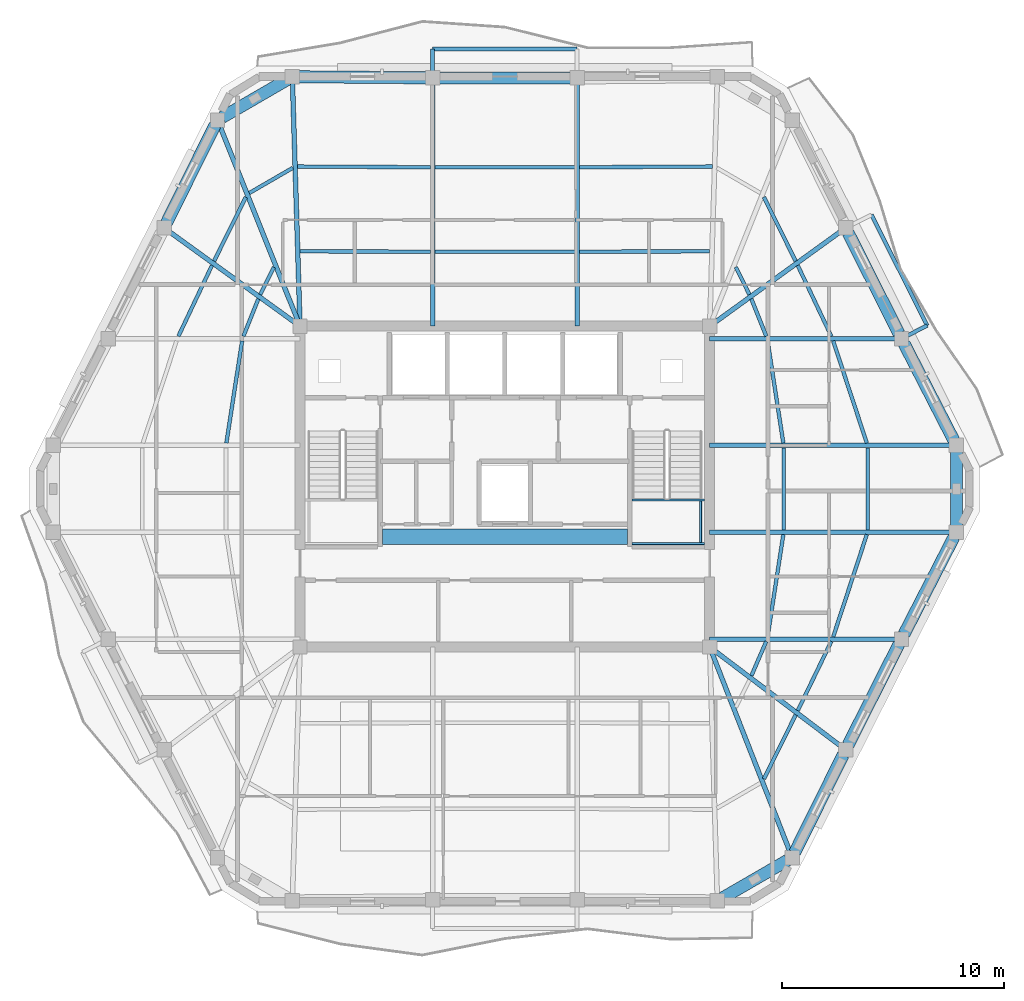
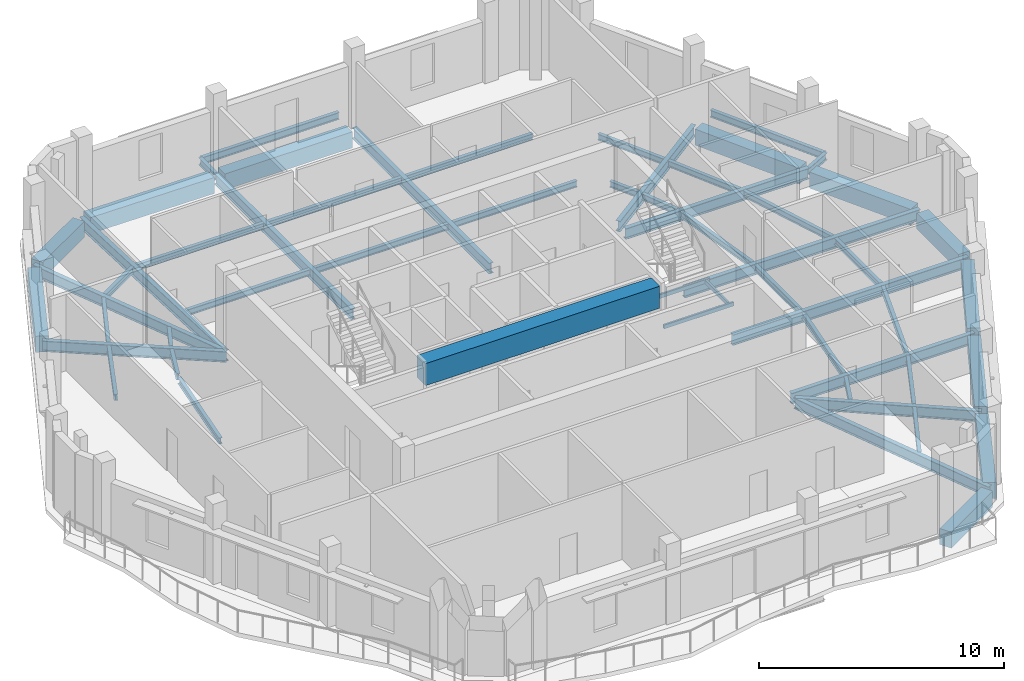
# One storey, part 2 of 10: 56 beams.
"""IFC4 building model written with IfcOpenShell, lengths in metres."""

from ifc_helpers import new_model, si_unit, direction, frame, origin, origin_2d, place, context, subcontext, project, spatial, rectangle, hollow_rectangle, i_section, extrude, material, material_profile, profile_set, type_object, element, save


model = new_model("IFC4")

# Units and contexts
model_context = context("Model", 3, precision=1e-05, world=origin(), true_north=direction((0.0, 1.0)))
body_context = subcontext(model_context, "Body", "Model", "MODEL_VIEW")
ifc_project = project(units=[si_unit("LENGTHUNIT", "METRE"), si_unit("AREAUNIT", "SQUARE_METRE"), si_unit("VOLUMEUNIT", "CUBIC_METRE"), si_unit("PLANEANGLEUNIT", "RADIAN"), si_unit("MASSUNIT", "GRAM", prefix="KILO")], contexts=[model_context])

# Site, building, storey
site_placement = place(None, origin())
site = spatial("IfcSite", under=ifc_project, at=site_placement, CompositionType="ELEMENT")
building_placement = place(site_placement, origin())
building = spatial("IfcBuilding", under=site, at=building_placement, Name="Cinnabar Lancet Tower", CompositionType="ELEMENT")
storey_placement = place(building_placement, frame((0.0, 0.0, 287.5)))
storey = spatial("IfcBuildingStorey", under=building, at=storey_placement, Name="L76", CompositionType="ELEMENT", Elevation=287.5)

# Beams
ifc_material_1 = material(Name="Concrete C70/85", Category="concrete")
ifc_material_profile_1 = material_profile(ifc_material_1, rectangle(XDim=0.699951171875, YDim=1.10009765625, at=origin_2d()), Name="RC-CB 700x1100")
ifc_profile_set_1 = profile_set([ifc_material_profile_1], Name="Concrete C70/85")
beam_type_1 = type_object("IfcBeamType", Name="STR-BM-CB-1100", PredefinedType="BEAM", material=ifc_profile_set_1)
beam_1_placement = place(storey_placement, frame((26.8798828125, 23.64990234375, 3.25), z_axis=(1.0, 0.0, 0.0), x_axis=(0.0, 1.0, 0.0)))
element("IfcBeam", 1, at=beam_1_placement, inside=storey, type_object=beam_type_1, Name="L76 Core Coupling Beam", PredefinedType="BEAM", context=body_context, shape_type="SweptSolid", body=[
    extrude(rectangle(XDim=0.699951171875, YDim=1.10009765625, at=origin_2d()), origin(), (0.0, 0.0, 1.0), 11.0400390625),
])
ifc_material_2 = material(Name="Structural steel S355", Category="steel")
ifc_material_profile_2 = material_profile(ifc_material_2, i_section(OverallWidth=0.1650390625, OverallDepth=0.303466796875, WebThickness=0.006103515625, FlangeThickness=0.01025390625, FilletRadius=0.0087890625, at=origin_2d()), Name="UKB 305x165x40")
ifc_profile_set_2 = profile_set([ifc_material_profile_2], Name="Structural steel S355")
beam_type_2 = type_object("IfcBeamType", Name="STR-BM-JST-305", PredefinedType="JOIST", material=ifc_profile_set_2)
beam_2_placement = place(storey_placement, frame((44.06591796875, 12.73193359375, -0.35205078125), z_axis=(0.444391284604, 0.895832789179, 0.0), x_axis=(-0.895832789179, 0.444391284604, 0.0)))
element("IfcBeam", 2, at=beam_2_placement, inside=storey, type_object=beam_type_2, Name="L76 Secondary Floor Joist 15", PredefinedType="JOIST", context=body_context, shape_type="SweptSolid", body=[
    extrude(i_section(OverallWidth=0.1650390625, OverallDepth=0.303466796875, WebThickness=0.006103515625, FlangeThickness=0.01025390625, FilletRadius=0.0087890625, at=origin_2d()), origin(), (0.0, 0.0, 1.0), 3.220458984375),
])
beam_3_placement = place(storey_placement, frame((45.591064453125, 15.80810546875, -0.35205078125), z_axis=(0.43610936109, 0.899893674369, 0.0), x_axis=(-0.899893674369, 0.43610936109, 0.0)))
element("IfcBeam", 3, at=beam_3_placement, inside=storey, type_object=beam_type_2, Name="L76 Secondary Floor Joist 17", PredefinedType="JOIST", context=body_context, shape_type="SweptSolid", body=[
    extrude(i_section(OverallWidth=0.1650390625, OverallDepth=0.303466796875, WebThickness=0.006103515625, FlangeThickness=0.01025390625, FilletRadius=0.0087890625, at=origin_2d()), origin(), (0.0, 0.0, 1.0), 3.467041015625),
])
beam_4_placement = place(storey_placement, frame((43.5048828125, 17.385009765625, -0.35205078125), z_axis=(0.396302440144, 0.91812002262, 0.0), x_axis=(-0.91812002262, 0.396302440144, 0.0)))
element("IfcBeam", 4, at=beam_4_placement, inside=storey, type_object=beam_type_2, Name="L76 Secondary Floor Joist 18", PredefinedType="JOIST", context=body_context, shape_type="SweptSolid", body=[
    extrude(i_section(OverallWidth=0.1650390625, OverallDepth=0.303466796875, WebThickness=0.006103515625, FlangeThickness=0.01025390625, FilletRadius=0.0087890625, at=origin_2d()), origin(), (0.0, 0.0, 1.0), 1.6806640625),
])
beam_5_placement = place(storey_placement, frame((47.18798828125, 19.137939453125, -0.35205078125), z_axis=(0.312491145371, 0.949920672512, 0.0), x_axis=(-0.949920672512, 0.312491145371, 0.0)))
element("IfcBeam", 5, at=beam_5_placement, inside=storey, type_object=beam_type_2, Name="L76 Secondary Floor Joist 19", PredefinedType="JOIST", context=body_context, shape_type="SweptSolid", body=[
    extrude(i_section(OverallWidth=0.1650390625, OverallDepth=0.303466796875, WebThickness=0.006103515625, FlangeThickness=0.01025390625, FilletRadius=0.0087890625, at=origin_2d()), origin(), (0.0, 0.0, 1.0), 4.8447265625),
])
beam_6_placement = place(storey_placement, frame((44.23291015625, 19.137939453125, -0.35205078125), z_axis=(0.152262059154, 0.988340156698, 0.0), x_axis=(-0.988340156698, 0.152262059154, 0.0)))
element("IfcBeam", 6, at=beam_6_placement, inside=storey, type_object=beam_type_2, Name="L76 Secondary Floor Joist 20", PredefinedType="JOIST", context=body_context, shape_type="SweptSolid", body=[
    extrude(i_section(OverallWidth=0.1650390625, OverallDepth=0.303466796875, WebThickness=0.006103515625, FlangeThickness=0.01025390625, FilletRadius=0.0087890625, at=origin_2d()), origin(), (0.0, 0.0, 1.0), 4.65625),
])
for number, where, z_axis, x_axis, name in (
    (7, (48.737060546875, 23.949951171875, -0.35205078125), (0.0, 1.0, 0.0), (-1.0, 0.0, 0.0), "L76 Secondary Floor Joist 21"),
    (8, (44.958984375, 23.949951171875, -0.35205078125), (0.0, 1.0, 0.0), (-1.0, 0.0, 0.0), "L76 Secondary Floor Joist 22"),
):
    element("IfcBeam", number, at=place(storey_placement, frame(where, z_axis=z_axis, x_axis=x_axis)), inside=storey, type_object=beam_type_2, Name=name, PredefinedType="JOIST", context=body_context, shape_type="SweptSolid", body=[
        extrude(i_section(OverallWidth=0.1650390625, OverallDepth=0.303466796875, WebThickness=0.006103515625, FlangeThickness=0.01025390625, FilletRadius=0.0087890625, at=origin_2d()), origin(), (0.0, 0.0, 1.0), 3.699951171875),
    ])
beam_7_placement = place(storey_placement, frame((48.701904296875, 27.860107421875, -0.35205078125), z_axis=(-0.312506104996, 0.94991575118, 0.0), x_axis=(-0.94991575118, -0.312506104996, 0.0)))
element("IfcBeam", 9, at=beam_7_placement, inside=storey, type_object=beam_type_2, Name="L76 Secondary Floor Joist 23", PredefinedType="JOIST", context=body_context, shape_type="SweptSolid", body=[
    extrude(i_section(OverallWidth=0.1650390625, OverallDepth=0.303466796875, WebThickness=0.006103515625, FlangeThickness=0.01025390625, FilletRadius=0.0087890625, at=origin_2d()), origin(), (0.0, 0.0, 1.0), 4.844482421875),
])
beam_8_placement = place(storey_placement, frame((44.94189453125, 27.860107421875, -0.35205078125), z_axis=(-0.152269949853, 0.988338941038, 0.0), x_axis=(-0.988338941038, -0.152269949853, 0.0)))
element("IfcBeam", 10, at=beam_8_placement, inside=storey, type_object=beam_type_2, Name="L76 Secondary Floor Joist 24", PredefinedType="JOIST", context=body_context, shape_type="SweptSolid", body=[
    extrude(i_section(OverallWidth=0.1650390625, OverallDepth=0.303466796875, WebThickness=0.006103515625, FlangeThickness=0.01025390625, FilletRadius=0.0087890625, at=origin_2d()), origin(), (0.0, 0.0, 1.0), 4.656005859375),
])
beam_9_placement = place(storey_placement, frame((47.10400390625, 32.672119140625, -0.35205078125), z_axis=(-0.428647868514, 0.903471640296, 0.0), x_axis=(-0.903471640296, -0.428647868514, 0.0)))
element("IfcBeam", 11, at=beam_9_placement, inside=storey, type_object=beam_type_2, Name="L76 Secondary Floor Joist 25", PredefinedType="JOIST", context=body_context, shape_type="SweptSolid", body=[
    extrude(i_section(OverallWidth=0.1650390625, OverallDepth=0.303466796875, WebThickness=0.006103515625, FlangeThickness=0.01025390625, FilletRadius=0.0087890625, at=origin_2d()), origin(), (0.0, 0.0, 1.0), 3.53173828125),
])
beam_10_placement = place(storey_placement, frame((44.175048828125, 32.672119140625, -0.35205078125), z_axis=(-0.37155332079, 0.928411616585, 0.0), x_axis=(-0.928411616585, -0.37155332079, 0.0)))
element("IfcBeam", 12, at=beam_10_placement, inside=storey, type_object=beam_type_2, Name="L76 Secondary Floor Joist 26", PredefinedType="JOIST", context=body_context, shape_type="SweptSolid", body=[
    extrude(i_section(OverallWidth=0.1650390625, OverallDepth=0.303466796875, WebThickness=0.006103515625, FlangeThickness=0.01025390625, FilletRadius=0.0087890625, at=origin_2d()), origin(), (0.0, 0.0, 1.0), 1.8115234375),
])
beam_11_placement = place(storey_placement, frame((45.4970703125, 36.054931640625, -0.35205078125), z_axis=(-0.44427059531, 0.895892648783, 0.0), x_axis=(-0.895892648783, -0.44427059531, 0.0)))
element("IfcBeam", 13, at=beam_11_placement, inside=storey, type_object=beam_type_2, Name="L76 Secondary Floor Joist 27", PredefinedType="JOIST", context=body_context, shape_type="SweptSolid", body=[
    extrude(i_section(OverallWidth=0.1650390625, OverallDepth=0.303466796875, WebThickness=0.006103515625, FlangeThickness=0.01025390625, FilletRadius=0.0087890625, at=origin_2d()), origin(), (0.0, 0.0, 1.0), 3.221435546875),
])
beam_12_placement = place(storey_placement, frame((43.4150390625, 34.549072265625, -0.35205078125), z_axis=(-0.444661746427, 0.895698571655, 0.0), x_axis=(-0.895698571655, -0.444661746427, 0.0)))
element("IfcBeam", 14, at=beam_12_placement, inside=storey, type_object=beam_type_2, Name="L76 Secondary Floor Joist 28", PredefinedType="JOIST", context=body_context, shape_type="SweptSolid", body=[
    extrude(i_section(OverallWidth=0.1650390625, OverallDepth=0.303466796875, WebThickness=0.006103515625, FlangeThickness=0.01025390625, FilletRadius=0.0087890625, at=origin_2d()), origin(), (0.0, 0.0, 1.0), 1.378662109375),
])
beam_13_placement = place(storey_placement, frame((41.741943359375, 40.31494140625, -0.35205078125), z_axis=(-0.999985712428, -0.005345553266, 0.0), x_axis=(0.005345553266, -0.999985712428, 0.0)))
element("IfcBeam", 15, at=beam_13_placement, inside=storey, type_object=beam_type_2, Name="L76 Secondary Floor Joist 30", PredefinedType="JOIST", context=body_context, shape_type="SweptSolid", body=[
    extrude(i_section(OverallWidth=0.1650390625, OverallDepth=0.303466796875, WebThickness=0.006103515625, FlangeThickness=0.01025390625, FilletRadius=0.0087890625, at=origin_2d()), origin(), (0.0, 0.0, 1.0), 5.98291015625),
])
beam_14_placement = place(storey_placement, frame((41.6240234375, 36.49609375, -0.35205078125), z_axis=(-0.999996226008, -0.002747356738, 0.0), x_axis=(0.002747356738, -0.999996226008, 0.0)))
element("IfcBeam", 16, at=beam_14_placement, inside=storey, type_object=beam_type_2, Name="L76 Secondary Floor Joist 31", PredefinedType="JOIST", context=body_context, shape_type="SweptSolid", body=[
    extrude(i_section(OverallWidth=0.1650390625, OverallDepth=0.303466796875, WebThickness=0.006103515625, FlangeThickness=0.01025390625, FilletRadius=0.0087890625, at=origin_2d()), origin(), (0.0, 0.0, 1.0), 5.864990234375),
])
for number, where, z_axis, x_axis, name in (
    (17, (35.549072265625, 40.281982421875, -0.35205078125), (-1.0, 0.0, 0.0), (0.0, -1.0, 0.0), "L76 Secondary Floor Joist 32"),
    (18, (35.549072265625, 36.47998046875, -0.35205078125), (-1.0, 0.0, 0.0), (0.0, -1.0, 0.0), "L76 Secondary Floor Joist 33"),
):
    element("IfcBeam", number, at=place(storey_placement, frame(where, z_axis=z_axis, x_axis=x_axis)), inside=storey, type_object=beam_type_2, Name=name, PredefinedType="JOIST", context=body_context, shape_type="SweptSolid", body=[
        extrude(i_section(OverallWidth=0.1650390625, OverallDepth=0.303466796875, WebThickness=0.006103515625, FlangeThickness=0.01025390625, FilletRadius=0.0087890625, at=origin_2d()), origin(), (0.0, 0.0, 1.0), 6.298095703125),
    ])
beam_15_placement = place(storey_placement, frame((29.041015625, 40.282958984375, -0.35205078125), z_axis=(-0.999985712428, 0.005345553266, 0.0), x_axis=(-0.005345553266, -0.999985712428, 0.0)))
element("IfcBeam", 19, at=beam_15_placement, inside=storey, type_object=beam_type_2, Name="L76 Secondary Floor Joist 34", PredefinedType="JOIST", context=body_context, shape_type="SweptSolid", body=[
    extrude(i_section(OverallWidth=0.1650390625, OverallDepth=0.303466796875, WebThickness=0.006103515625, FlangeThickness=0.01025390625, FilletRadius=0.0087890625, at=origin_2d()), origin(), (0.0, 0.0, 1.0), 5.98291015625),
])
beam_16_placement = place(storey_placement, frame((29.041015625, 36.47998046875, -0.35205078125), z_axis=(-0.999996226008, 0.002747356738, 0.0), x_axis=(-0.002747356738, -0.999996226008, 0.0)))
element("IfcBeam", 20, at=beam_16_placement, inside=storey, type_object=beam_type_2, Name="L76 Secondary Floor Joist 35", PredefinedType="JOIST", context=body_context, shape_type="SweptSolid", body=[
    extrude(i_section(OverallWidth=0.1650390625, OverallDepth=0.303466796875, WebThickness=0.006103515625, FlangeThickness=0.01025390625, FilletRadius=0.0087890625, at=origin_2d()), origin(), (0.0, 0.0, 1.0), 5.864990234375),
])
beam_17_placement = place(storey_placement, frame((22.85009765625, 40.256103515625, -0.35205078125), z_axis=(-0.865426285481, -0.501036270542, 0.0), x_axis=(0.501036270542, -0.865426285481, 0.0)))
element("IfcBeam", 21, at=beam_17_placement, inside=storey, type_object=beam_type_2, Name="L76 Secondary Floor Joist 36", PredefinedType="JOIST", context=body_context, shape_type="SweptSolid", body=[
    extrude(i_section(OverallWidth=0.1650390625, OverallDepth=0.303466796875, WebThickness=0.006103515625, FlangeThickness=0.01025390625, FilletRadius=0.0087890625, at=origin_2d()), origin(), (0.0, 0.0, 1.0), 2.267333984375),
])
beam_18_placement = place(storey_placement, frame((20.73388671875, 38.94091796875, -0.35205078125), z_axis=(-0.444209762814, -0.89592281287, 0.0), x_axis=(0.89592281287, -0.444209762814, 0.0)))
element("IfcBeam", 22, at=beam_18_placement, inside=storey, type_object=beam_type_2, Name="L76 Secondary Floor Joist 37", PredefinedType="JOIST", context=body_context, shape_type="SweptSolid", body=[
    extrude(i_section(OverallWidth=0.1650390625, OverallDepth=0.303466796875, WebThickness=0.006103515625, FlangeThickness=0.01025390625, FilletRadius=0.0087890625, at=origin_2d()), origin(), (0.0, 0.0, 1.0), 3.22119140625),
])
beam_19_placement = place(storey_placement, frame((21.998046875, 35.783935546875, -0.35205078125), z_axis=(-0.444661746427, -0.895698571655, 0.0), x_axis=(0.895698571655, -0.444661746427, 0.0)))
element("IfcBeam", 23, at=beam_19_placement, inside=storey, type_object=beam_type_2, Name="L76 Secondary Floor Joist 38", PredefinedType="JOIST", context=body_context, shape_type="SweptSolid", body=[
    extrude(i_section(OverallWidth=0.1650390625, OverallDepth=0.303466796875, WebThickness=0.006103515625, FlangeThickness=0.01025390625, FilletRadius=0.0087890625, at=origin_2d()), origin(), (0.0, 0.0, 1.0), 1.378662109375),
])
beam_20_placement = place(storey_placement, frame((19.2099609375, 35.863037109375, -0.35205078125), z_axis=(-0.428647868514, -0.903471640296, 0.0), x_axis=(0.903471640296, -0.428647868514, 0.0)))
element("IfcBeam", 24, at=beam_20_placement, inside=storey, type_object=beam_type_2, Name="L76 Secondary Floor Joist 39", PredefinedType="JOIST", context=body_context, shape_type="SweptSolid", body=[
    extrude(i_section(OverallWidth=0.1650390625, OverallDepth=0.303466796875, WebThickness=0.006103515625, FlangeThickness=0.01025390625, FilletRadius=0.0087890625, at=origin_2d()), origin(), (0.0, 0.0, 1.0), 3.53173828125),
])
beam_21_placement = place(storey_placement, frame((21.298095703125, 34.35400390625, -0.35205078125), z_axis=(-0.37155332079, -0.928411616585, 0.0), x_axis=(0.928411616585, -0.37155332079, 0.0)))
element("IfcBeam", 25, at=beam_21_placement, inside=storey, type_object=beam_type_2, Name="L76 Secondary Floor Joist 40", PredefinedType="JOIST", context=body_context, shape_type="SweptSolid", body=[
    extrude(i_section(OverallWidth=0.1650390625, OverallDepth=0.303466796875, WebThickness=0.006103515625, FlangeThickness=0.01025390625, FilletRadius=0.0087890625, at=origin_2d()), origin(), (0.0, 0.0, 1.0), 1.8115234375),
])
beam_22_placement = place(storey_placement, frame((20.56689453125, 32.4619140625, -0.35205078125), z_axis=(-0.152269949853, -0.988338941038, 0.0), x_axis=(0.988338941038, -0.152269949853, 0.0)))
element("IfcBeam", 26, at=beam_22_placement, inside=storey, type_object=beam_type_2, Name="L76 Secondary Floor Joist 42", PredefinedType="JOIST", context=body_context, shape_type="SweptSolid", body=[
    extrude(i_section(OverallWidth=0.1650390625, OverallDepth=0.303466796875, WebThickness=0.006103515625, FlangeThickness=0.01025390625, FilletRadius=0.0087890625, at=origin_2d()), origin(), (0.0, 0.0, 1.0), 4.656005859375),
])
ifc_material_3 = material(Name="Structural steel S355", Category="steel")
ifc_material_profile_3 = material_profile(ifc_material_3, hollow_rectangle(XDim=0.10009765625, YDim=0.199951171875, WallThickness=0.008056640625, InnerFilletRadius=0.00390625, OuterFilletRadius=0.011962890625, at=origin_2d()), Name="RHS 200x100x8")
ifc_profile_set_3 = profile_set([ifc_material_profile_3], Name="Structural steel S355")
beam_type_3 = type_object("IfcBeamType", Name="STR-BM-LND-203", PredefinedType="BEAM", material=ifc_profile_set_3)
for number, where, z_axis, x_axis, name in (
    (27, (38.1201171875, 23.330078125, 1.699951171875), (1.0, 0.0, 0.0), (0.0, 1.0, 0.0), "L76 ST-2-L76 Landing Support Beam S"),
    (28, (38.1201171875, 25.294921875, 1.699951171875), (1.0, 0.0, 0.0), (0.0, 1.0, 0.0), "L76 ST-2-L76 Landing Support Beam N"),
):
    element("IfcBeam", number, at=place(storey_placement, frame(where, z_axis=z_axis, x_axis=x_axis)), inside=storey, type_object=beam_type_3, Name=name, PredefinedType="BEAM", context=body_context, shape_type="SweptSolid", body=[
        extrude(hollow_rectangle(XDim=0.10009765625, YDim=0.199951171875, WallThickness=0.008056640625, InnerFilletRadius=0.00390625, OuterFilletRadius=0.011962890625, at=origin_2d()), origin(), (0.0, 0.0, 1.0), 3.27978515625),
    ])
beam_23_placement = place(storey_placement, frame((41.219970703125, 23.3798828125, 1.699951171875), z_axis=(0.0, 1.0, 0.0), x_axis=(-1.0, 0.0, 0.0)))
element("IfcBeam", 29, at=beam_23_placement, inside=storey, type_object=beam_type_3, Name="L76 ST-2-L76 Landing Side Trimmer Beam", PredefinedType="BEAM", context=body_context, shape_type="SweptSolid", body=[
    extrude(hollow_rectangle(XDim=0.10009765625, YDim=0.199951171875, WallThickness=0.008056640625, InnerFilletRadius=0.00390625, OuterFilletRadius=0.011962890625, at=origin_2d()), origin(), (0.0, 0.0, 1.0), 1.865234375),
])
ifc_material_4 = material(Name="Concrete C50/60", Category="concrete")
ifc_material_profile_4 = material_profile(ifc_material_4, rectangle(XDim=0.550048828125, YDim=0.800048828125, at=origin_2d()), Name="RC-SB 550x800")
ifc_profile_set_4 = profile_set([ifc_material_profile_4], Name="Concrete C50/60")
beam_type_4 = type_object("IfcBeamType", Name="STR-BM-RCSB-800", PredefinedType="SPANDREL", material=ifc_profile_set_4)
beam_24_placement = place(storey_placement, frame((42.18798828125, 7.364013671875, -0.60009765625), z_axis=(0.865230894194, 0.50137361292, 0.0), x_axis=(-0.50137361292, 0.865230894194, 0.0)))
element("IfcBeam", 30, at=beam_24_placement, inside=storey, type_object=beam_type_4, Name="L76 Perimeter Spandrel 4", PredefinedType="SPANDREL", context=body_context, shape_type="SweptSolid", body=[
    extrude(rectangle(XDim=0.550048828125, YDim=0.800048828125, at=origin_2d()), origin(), (0.0, 0.0, 1.0), 3.39453125),
])
beam_25_placement = place(storey_placement, frame((45.451904296875, 9.4150390625, -0.60009765625), z_axis=(0.444372599207, 0.895842058107, 0.0), x_axis=(-0.895842058107, 0.444372599207, 0.0)))
element("IfcBeam", 31, at=beam_25_placement, inside=storey, type_object=beam_type_4, Name="L76 Perimeter Spandrel 5", PredefinedType="SPANDREL", context=body_context, shape_type="SweptSolid", body=[
    extrude(rectangle(XDim=0.550048828125, YDim=0.800048828125, at=origin_2d()), origin(), (0.0, 0.0, 1.0), 4.91943359375),
])
beam_26_placement = place(storey_placement, frame((47.862060546875, 14.26904296875, -0.60009765625), z_axis=(0.450091864122, 0.892982258419, 0.0), x_axis=(-0.892982258419, 0.450091864122, 0.0)))
element("IfcBeam", 32, at=beam_26_placement, inside=storey, type_object=beam_type_4, Name="L76 Perimeter Spandrel 6", PredefinedType="SPANDREL", context=body_context, shape_type="SweptSolid", body=[
    extrude(rectangle(XDim=0.550048828125, YDim=0.800048828125, at=origin_2d()), origin(), (0.0, 0.0, 1.0), 5.085205078125),
])
beam_27_placement = place(storey_placement, frame((50.3779296875, 19.2548828125, -0.60009765625), z_axis=(0.457127852293, 0.889400993174, 0.0), x_axis=(-0.889400993174, 0.457127852293, 0.0)))
element("IfcBeam", 33, at=beam_27_placement, inside=storey, type_object=beam_type_4, Name="L76 Perimeter Spandrel 7", PredefinedType="SPANDREL", context=body_context, shape_type="SweptSolid", body=[
    extrude(rectangle(XDim=0.550048828125, YDim=0.800048828125, at=origin_2d()), origin(), (0.0, 0.0, 1.0), 4.911376953125),
])
beam_28_placement = place(storey_placement, frame((52.737060546875, 24.094970703125, -0.60009765625), z_axis=(0.0, 1.0, 0.0), x_axis=(-1.0, 0.0, 0.0)))
element("IfcBeam", 34, at=beam_28_placement, inside=storey, type_object=beam_type_4, Name="L76 Perimeter Spandrel 8", PredefinedType="SPANDREL", context=body_context, shape_type="SweptSolid", body=[
    extrude(rectangle(XDim=0.550048828125, YDim=0.800048828125, at=origin_2d()), origin(), (0.0, 0.0, 1.0), 3.409912109375),
])
beam_29_placement = place(storey_placement, frame((52.623046875, 27.97705078125, -0.60009765625), z_axis=(-0.457148063427, 0.889390604912, 0.0), x_axis=(-0.889390604912, -0.457148063427, 0.0)))
element("IfcBeam", 35, at=beam_29_placement, inside=storey, type_object=beam_type_4, Name="L76 Perimeter Spandrel 9", PredefinedType="SPANDREL", context=body_context, shape_type="SweptSolid", body=[
    extrude(rectangle(XDim=0.550048828125, YDim=0.800048828125, at=origin_2d()), origin(), (0.0, 0.0, 1.0), 4.9111328125),
])
beam_30_placement = place(storey_placement, frame((50.15087890625, 32.7900390625, -0.60009765625), z_axis=(-0.450091864122, 0.892982258419, 0.0), x_axis=(-0.892982258419, -0.450091864122, 0.0)))
element("IfcBeam", 36, at=beam_30_placement, inside=storey, type_object=beam_type_4, Name="L76 Perimeter Spandrel 10", PredefinedType="SPANDREL", context=body_context, shape_type="SweptSolid", body=[
    extrude(rectangle(XDim=0.550048828125, YDim=0.800048828125, at=origin_2d()), origin(), (0.0, 0.0, 1.0), 5.085205078125),
])
beam_31_placement = place(storey_placement, frame((35.404052734375, 44.30810546875, -0.60009765625), z_axis=(-1.0, 0.0, 0.0), x_axis=(0.0, -1.0, 0.0)))
element("IfcBeam", 37, at=beam_31_placement, inside=storey, type_object=beam_type_4, Name="L76 Perimeter Spandrel 14", PredefinedType="SPANDREL", context=body_context, shape_type="SweptSolid", body=[
    extrude(rectangle(XDim=0.550048828125, YDim=0.800048828125, at=origin_2d()), origin(), (0.0, 0.0, 1.0), 6.008056640625),
])
beam_32_placement = place(storey_placement, frame((28.89599609375, 44.31005859375, -0.60009765625), z_axis=(-0.999964785419, 0.008392134492, 0.0), x_axis=(-0.008392134492, -0.999964785419, 0.0)))
element("IfcBeam", 38, at=beam_32_placement, inside=storey, type_object=beam_type_4, Name="L76 Perimeter Spandrel 15", PredefinedType="SPANDREL", context=body_context, shape_type="SweptSolid", body=[
    extrude(rectangle(XDim=0.550048828125, YDim=0.800048828125, at=origin_2d()), origin(), (0.0, 0.0, 1.0), 5.818359375),
])
beam_33_placement = place(storey_placement, frame((22.612060546875, 44.236083984375, -0.60009765625), z_axis=(-0.865199693264, -0.501427453153, 0.0), x_axis=(0.501427453153, -0.865199693264, 0.0)))
element("IfcBeam", 39, at=beam_33_placement, inside=storey, type_object=beam_type_4, Name="L76 Perimeter Spandrel 16", PredefinedType="SPANDREL", context=body_context, shape_type="SweptSolid", body=[
    extrude(rectangle(XDim=0.550048828125, YDim=0.800048828125, at=origin_2d()), origin(), (0.0, 0.0, 1.0), 3.39453125),
])
beam_34_placement = place(storey_placement, frame((19.347900390625, 42.18505859375, -0.60009765625), z_axis=(-0.44433276947, -0.895861814107, 0.0), x_axis=(0.895861814107, -0.44433276947, 0.0)))
element("IfcBeam", 40, at=beam_34_placement, inside=storey, type_object=beam_type_4, Name="L76 Perimeter Spandrel 17", PredefinedType="SPANDREL", context=body_context, shape_type="SweptSolid", body=[
    extrude(rectangle(XDim=0.550048828125, YDim=0.800048828125, at=origin_2d()), origin(), (0.0, 0.0, 1.0), 4.919189453125),
])
ifc_material_5 = material(Name="Structural steel S355", Category="steel")
ifc_material_profile_5 = material_profile(ifc_material_5, i_section(OverallWidth=0.209228515625, OverallDepth=0.533203125, WebThickness=0.010009765625, FlangeThickness=0.015625, FilletRadius=0.0126953125, at=origin_2d()), Name="UKB 533x210x92")
ifc_profile_set_5 = profile_set([ifc_material_profile_5], Name="Structural steel S355")
beam_type_5 = type_object("IfcBeamType", Name="STR-BM-UKB533-92", PredefinedType="BEAM", material=ifc_profile_set_5)
beam_35_placement = place(storey_placement, frame((47.7490234375, 14.0458984375, -0.467041015625), z_axis=(-0.797735075719, 0.603008083667, 0.0), x_axis=(-0.603008083667, -0.797735075719, 0.0)))
element("IfcBeam", 41, at=beam_35_placement, inside=storey, type_object=beam_type_5, Name="L76 Corner Collector Girder 2", PredefinedType="BEAM", context=body_context, shape_type="SweptSolid", body=[
    extrude(i_section(OverallWidth=0.209228515625, OverallDepth=0.533203125, WebThickness=0.010009765625, FlangeThickness=0.015625, FilletRadius=0.0126953125, at=origin_2d()), origin(), (0.0, 0.0, 1.0), 7.6767578125),
])
for number, where, z_axis, x_axis, name in (
    (42, (47.7490234375, 37.553955078125, -0.467041015625), (-0.810299148474, -0.586016458797, 0.0), (0.586016458797, -0.810299148474, 0.0), "L76 Corner Collector Girder 3"),
    (43, (17.051025390625, 37.553955078125, -0.467041015625), (0.810299148474, -0.586016458797, 0.0), (0.586016458797, 0.810299148474, 0.0), "L76 Corner Collector Girder 4"),
):
    element("IfcBeam", number, at=place(storey_placement, frame(where, z_axis=z_axis, x_axis=x_axis)), inside=storey, type_object=beam_type_5, Name=name, PredefinedType="BEAM", context=body_context, shape_type="SweptSolid", body=[
        extrude(i_section(OverallWidth=0.209228515625, OverallDepth=0.533203125, WebThickness=0.010009765625, FlangeThickness=0.015625, FilletRadius=0.0126953125, at=origin_2d()), origin(), (0.0, 0.0, 1.0), 7.5576171875),
    ])
beam_36_placement = place(storey_placement, frame((45.341064453125, 9.19091796875, -0.467041015625), z_axis=(-0.364815017375, 0.931080019707, 0.0), x_axis=(-0.931080019707, -0.364815017375, 0.0)))
element("IfcBeam", 44, at=beam_36_placement, inside=storey, type_object=beam_type_5, Name="L76 Primary Floor Girder 5", PredefinedType="BEAM", context=body_context, shape_type="SweptSolid", body=[
    extrude(i_section(OverallWidth=0.209228515625, OverallDepth=0.533203125, WebThickness=0.010009765625, FlangeThickness=0.015625, FilletRadius=0.0126953125, at=origin_2d()), origin(), (0.0, 0.0, 1.0), 10.186279296875),
])
beam_37_placement = place(storey_placement, frame((50.263916015625, 19.032958984375, -0.467041015625), z_axis=(-1.0, 0.0, 0.0), x_axis=(0.0, -1.0, 0.0)))
element("IfcBeam", 45, at=beam_37_placement, inside=storey, type_object=beam_type_5, Name="L76 Primary Floor Girder 7", PredefinedType="BEAM", context=body_context, shape_type="SweptSolid", body=[
    extrude(i_section(OverallWidth=0.209228515625, OverallDepth=0.533203125, WebThickness=0.010009765625, FlangeThickness=0.015625, FilletRadius=0.0126953125, at=origin_2d()), origin(), (0.0, 0.0, 1.0), 8.638916015625),
])
for number, where, z_axis, x_axis, name in (
    (46, (52.737060546875, 23.844970703125, -0.467041015625), (-1.0, 0.0, 0.0), (0.0, -1.0, 0.0), "L76 Primary Floor Girder 8"),
    (47, (52.737060546875, 27.7548828125, -0.467041015625), (-1.0, 0.0, 0.0), (0.0, -1.0, 0.0), "L76 Primary Floor Girder 9"),
):
    element("IfcBeam", number, at=place(storey_placement, frame(where, z_axis=z_axis, x_axis=x_axis)), inside=storey, type_object=beam_type_5, Name=name, PredefinedType="BEAM", context=body_context, shape_type="SweptSolid", body=[
        extrude(i_section(OverallWidth=0.209228515625, OverallDepth=0.533203125, WebThickness=0.010009765625, FlangeThickness=0.015625, FilletRadius=0.0126953125, at=origin_2d()), origin(), (0.0, 0.0, 1.0), 11.112060546875),
    ])
beam_38_placement = place(storey_placement, frame((50.263916015625, 32.56689453125, -0.467041015625), z_axis=(-1.0, 0.0, 0.0), x_axis=(0.0, -1.0, 0.0)))
element("IfcBeam", 48, at=beam_38_placement, inside=storey, type_object=beam_type_5, Name="L76 Primary Floor Girder 10", PredefinedType="BEAM", context=body_context, shape_type="SweptSolid", body=[
    extrude(i_section(OverallWidth=0.209228515625, OverallDepth=0.533203125, WebThickness=0.010009765625, FlangeThickness=0.015625, FilletRadius=0.0126953125, at=origin_2d()), origin(), (0.0, 0.0, 1.0), 8.638916015625),
])
for number, where, z_axis, x_axis, name in (
    (49, (35.654052734375, 44.30810546875, -0.467041015625), (0.0, -1.0, 0.0), (1.0, 0.0, 0.0), "L76 Primary Floor Girder 14"),
    (50, (29.14599609375, 44.30810546875, -0.467041015625), (0.0, -1.0, 0.0), (1.0, 0.0, 0.0), "L76 Primary Floor Girder 15"),
):
    element("IfcBeam", number, at=place(storey_placement, frame(where, z_axis=z_axis, x_axis=x_axis)), inside=storey, type_object=beam_type_5, Name=name, PredefinedType="BEAM", context=body_context, shape_type="SweptSolid", body=[
        extrude(i_section(OverallWidth=0.209228515625, OverallDepth=0.533203125, WebThickness=0.010009765625, FlangeThickness=0.015625, FilletRadius=0.0126953125, at=origin_2d()), origin(), (0.0, 0.0, 1.0), 11.18310546875),
    ])
beam_39_placement = place(storey_placement, frame((22.827880859375, 44.361083984375, -0.467041015625), z_axis=(0.030882856862, -0.999523010817, 0.0), x_axis=(0.999523010817, 0.030882856862, 0.0)))
element("IfcBeam", 51, at=beam_39_placement, inside=storey, type_object=beam_type_5, Name="L76 Primary Floor Girder 16", PredefinedType="BEAM", context=body_context, shape_type="SweptSolid", body=[
    extrude(i_section(OverallWidth=0.209228515625, OverallDepth=0.533203125, WebThickness=0.010009765625, FlangeThickness=0.015625, FilletRadius=0.0126953125, at=origin_2d()), origin(), (0.0, 0.0, 1.0), 11.241455078125),
])
beam_40_placement = place(storey_placement, frame((19.458984375, 42.408935546875, -0.467041015625), z_axis=(0.371605341166, -0.928390796172, 0.0), x_axis=(0.928390796172, 0.371605341166, 0.0)))
element("IfcBeam", 52, at=beam_40_placement, inside=storey, type_object=beam_type_5, Name="L76 Primary Floor Girder 17", PredefinedType="BEAM", context=body_context, shape_type="SweptSolid", body=[
    extrude(i_section(OverallWidth=0.209228515625, OverallDepth=0.533203125, WebThickness=0.010009765625, FlangeThickness=0.015625, FilletRadius=0.0126953125, at=origin_2d()), origin(), (0.0, 0.0, 1.0), 10.0),
])
ifc_material_6 = material(Name="Structural steel S355", Category="steel")
ifc_material_profile_6 = material_profile(ifc_material_6, i_section(OverallWidth=0.17138671875, OverallDepth=0.35498046875, WebThickness=0.00732421875, FlangeThickness=0.011474609375, FilletRadius=0.01025390625, at=origin_2d()), Name="UKB 356x171x51")
ifc_profile_set_6 = profile_set([ifc_material_profile_6], Name="Structural steel S355")
beam_type_6 = type_object("IfcBeamType", Name="STR-BM-WAV-OUT", PredefinedType="BEAM", material=ifc_profile_set_6)
beam_41_placement = place(storey_placement, frame((50.263916015625, 32.56689453125, -0.39794921875), z_axis=(0.892238560088, 0.451564338597, 0.0), x_axis=(-0.451564338597, 0.892238560088, 0.0)))
element("IfcBeam", 53, at=beam_41_placement, inside=storey, type_object=beam_type_6, Name="L76 Face 3 Balcony Outlooker A", PredefinedType="BEAM", context=body_context, shape_type="SweptSolid", body=[
    extrude(i_section(OverallWidth=0.17138671875, OverallDepth=0.35498046875, WebThickness=0.00732421875, FlangeThickness=0.011474609375, FilletRadius=0.01025390625, at=origin_2d()), origin(), (0.0, 0.0, 1.0), 1.30029296875),
])
beam_42_placement = place(storey_placement, frame((29.14599609375, 44.30810546875, -0.39794921875), z_axis=(0.0, 1.0, 0.0), x_axis=(-1.0, 0.0, 0.0)))
element("IfcBeam", 54, at=beam_42_placement, inside=storey, type_object=beam_type_6, Name="L76 Face 4 Balcony Outlooker B", PredefinedType="BEAM", context=body_context, shape_type="SweptSolid", body=[
    extrude(i_section(OverallWidth=0.17138671875, OverallDepth=0.35498046875, WebThickness=0.00732421875, FlangeThickness=0.011474609375, FilletRadius=0.01025390625, at=origin_2d()), origin(), (0.0, 0.0, 1.0), 1.2998046875),
])
ifc_material_7 = material(Name="Structural steel S355", Category="steel")
ifc_material_profile_7 = material_profile(ifc_material_7, i_section(OverallWidth=0.17138671875, OverallDepth=0.35498046875, WebThickness=0.00732421875, FlangeThickness=0.011474609375, FilletRadius=0.01025390625, at=origin_2d()), Name="UKB 356x171x51")
ifc_profile_set_7 = profile_set([ifc_material_profile_7], Name="Structural steel S355")
beam_type_7 = type_object("IfcBeamType", Name="STR-BM-WAV-TRIM", PredefinedType="SPANDREL", material=ifc_profile_set_7)
beam_43_placement = place(storey_placement, frame((51.424072265625, 33.154052734375, -0.39794921875), z_axis=(-0.450305622338, 0.892874485295, 0.0), x_axis=(-0.892874485295, -0.450305622338, 0.0)))
element("IfcBeam", 55, at=beam_43_placement, inside=storey, type_object=beam_type_7, Name="L76 Face 3 Balcony Edge Trimmer", PredefinedType="SPANDREL", context=body_context, shape_type="SweptSolid", body=[
    extrude(i_section(OverallWidth=0.17138671875, OverallDepth=0.35498046875, WebThickness=0.00732421875, FlangeThickness=0.011474609375, FilletRadius=0.01025390625, at=origin_2d()), origin(), (0.0, 0.0, 1.0), 5.58544921875),
])
beam_44_placement = place(storey_placement, frame((35.654052734375, 45.60791015625, -0.39794921875), z_axis=(-1.0, 0.0, 0.0), x_axis=(0.0, -1.0, 0.0)))
element("IfcBeam", 56, at=beam_44_placement, inside=storey, type_object=beam_type_7, Name="L76 Face 4 Balcony Edge Trimmer", PredefinedType="SPANDREL", context=body_context, shape_type="SweptSolid", body=[
    extrude(i_section(OverallWidth=0.17138671875, OverallDepth=0.35498046875, WebThickness=0.00732421875, FlangeThickness=0.011474609375, FilletRadius=0.01025390625, at=origin_2d()), origin(), (0.0, 0.0, 1.0), 6.508056640625),
])

save(model, "model.ifc")
